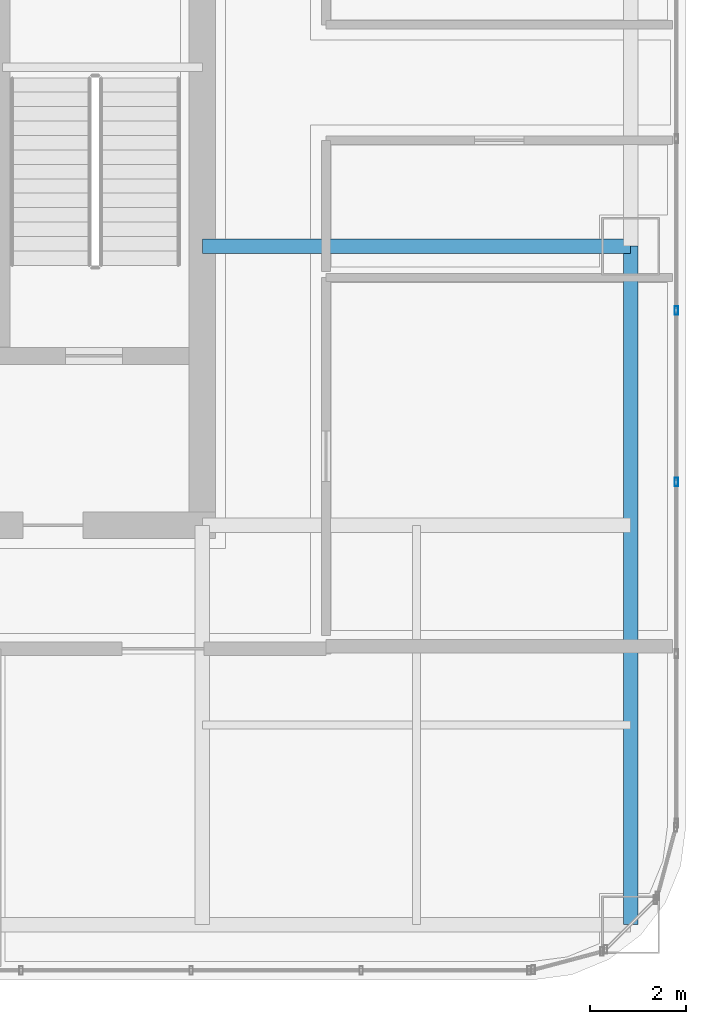
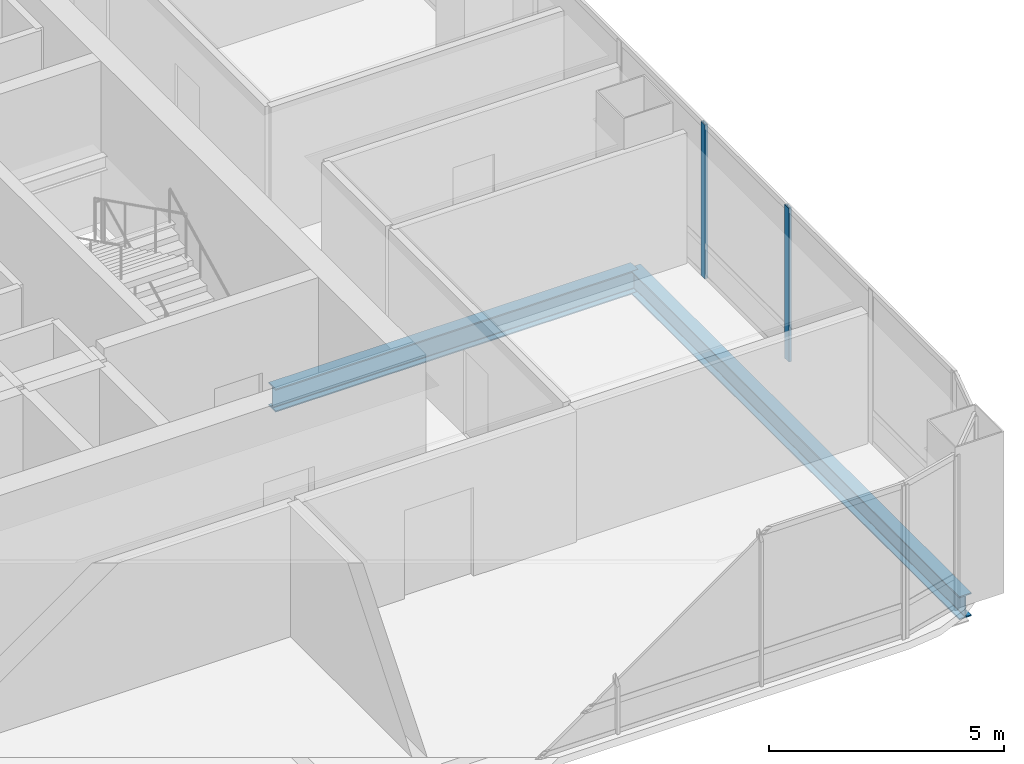
# One storey, part 17 of 42: 2 beams, 2 members, 1 element without a shape of its own.
"""IFC4 building model written with IfcOpenShell, lengths in metres."""

from ifc_helpers import new_model, si_unit, direction, frame, origin, origin_2d, place, context, subcontext, project, spatial, hollow_rectangle, i_section, extrude, material, material_profile, profile_set, type_object, element, aggregate, save


model = new_model("IFC4")

# Units and contexts
model_context = context("Model", 3, precision=1e-05, world=origin(), true_north=direction((0.0, 1.0)))
body_context = subcontext(model_context, "Body", "Model", "MODEL_VIEW")
ifc_project = project(units=[si_unit("LENGTHUNIT", "METRE"), si_unit("AREAUNIT", "SQUARE_METRE"), si_unit("VOLUMEUNIT", "CUBIC_METRE"), si_unit("PLANEANGLEUNIT", "RADIAN"), si_unit("MASSUNIT", "GRAM", prefix="KILO")], contexts=[model_context])

# Site, building, storey
site_placement = place(None, origin())
site = spatial("IfcSite", under=ifc_project, at=site_placement, CompositionType="ELEMENT")
building_placement = place(site_placement, origin())
building = spatial("IfcBuilding", under=site, at=building_placement, Name="Punatoya Terracotta Tower", CompositionType="ELEMENT")
storey_placement = place(building_placement, frame((0.0, 0.0, 304.800048828125)))
storey = spatial("IfcBuildingStorey", under=building, at=storey_placement, Name="L72", CompositionType="ELEMENT", Elevation=304.800048828125)

# Beams
ifc_material_1 = material(Name="Steel S355", Category="steel")
ifc_material_profile_1 = material_profile(ifc_material_1, i_section(OverallWidth=0.300048828125, OverallDepth=0.60009765625, WebThickness=0.015380859375, FlangeThickness=0.030029296875, FilletRadius=0.01806640625, at=origin_2d()))
ifc_profile_set_1 = profile_set([ifc_material_profile_1], Name="Steel S355")
beam_type = type_object("IfcBeamType", Name="BM-PRI-600", PredefinedType="BEAM", material=ifc_profile_set_1)
beam_1_placement = place(storey_placement, frame((19.10009765625, -17.5, -0.5), z_axis=(0.0, 1.0, 0.0), x_axis=(-1.0, 0.0, 0.0)))
element("IfcBeam", 1, at=beam_1_placement, inside=storey, type_object=beam_type, Name="BM-L72-RG-E1", PredefinedType="BEAM", context=body_context, shape_type="SweptSolid", body=[
    extrude(i_section(OverallWidth=0.300048828125, OverallDepth=0.60009765625, WebThickness=0.015380859375, FlangeThickness=0.030029296875, FilletRadius=0.01806640625, at=origin_2d()), origin(), (0.0, 0.0, 1.0), 14.10009765625),
])
beam_2_placement = place(storey_placement, frame((10.199951171875, -3.39990234375, -0.5), z_axis=(1.0, 0.0, 0.0), x_axis=(0.0, 1.0, 0.0)))
element("IfcBeam", 2, at=beam_2_placement, inside=storey, type_object=beam_type, Name="BM-L72-PR-ED", PredefinedType="BEAM", context=body_context, shape_type="SweptSolid", body=[
    extrude(i_section(OverallWidth=0.300048828125, OverallDepth=0.60009765625, WebThickness=0.015380859375, FlangeThickness=0.030029296875, FilletRadius=0.01806640625, at=origin_2d()), origin(), (0.0, 0.0, 1.0), 8.900146484375),
])

# Curtain wall, members
ifc_material_2 = material(Name="Aluminium 6063-T6 + Double Low-E Glass", Category="aluminium")
curtain_wall_type = type_object("IfcCurtainWallType", Name="CW-M3", PredefinedType="NOTDEFINED", material=ifc_material_2)
curtain_wall_placement = place(storey_placement, origin())
curtain_wall = element("IfcCurtainWall", 3, at=curtain_wall_placement, inside=storey, type_object=curtain_wall_type, Name="L72 Curtain Wall CW-L72-E05-1", PredefinedType="NOTDEFINED")
ifc_material_3 = material(Name="Aluminium 6063-T6", Category="aluminium")
ifc_material_profile_2 = material_profile(ifc_material_3, hollow_rectangle(XDim=0.070068359375, YDim=0.179931640625, WallThickness=0.00390625, at=origin_2d()))
ifc_profile_set_2 = profile_set([ifc_material_profile_2], Name="Aluminium 6063-T6")
member_type = type_object("IfcMemberType", Name="CW-MUL-M3", PredefinedType="MULLION", material=ifc_profile_set_2)
member_1_placement = place(storey_placement, frame((20.050048828125, -8.302001953125, 0.0), z_axis=(0.0, 0.0, 1.0), x_axis=(1.0, 0.0, 0.0)))
member_1 = element("IfcMember", 4, at=member_1_placement, type_object=member_type, Name="CW-L72-E05-1 Mullion 02", PredefinedType="MULLION", context=body_context, shape_type="SweptSolid", body=[
    extrude(hollow_rectangle(XDim=0.070068359375, YDim=0.179931640625, WallThickness=0.00390625, at=origin_2d()), origin(), (0.0, 0.0, 1.0), 4.0),
])
member_2_placement = place(storey_placement, frame((20.050048828125, -4.73486328125, 0.0), z_axis=(0.0, 0.0, 1.0), x_axis=(1.0, 0.0, 0.0)))
member_2 = element("IfcMember", 5, at=member_2_placement, type_object=member_type, Name="CW-L72-E05-1 Mullion 03", PredefinedType="MULLION", context=body_context, shape_type="SweptSolid", body=[
    extrude(hollow_rectangle(XDim=0.070068359375, YDim=0.179931640625, WallThickness=0.00390625, at=origin_2d()), origin(), (0.0, 0.0, 1.0), 4.0),
])
aggregate(curtain_wall, [member_1, member_2])

save(model, "model.ifc")
